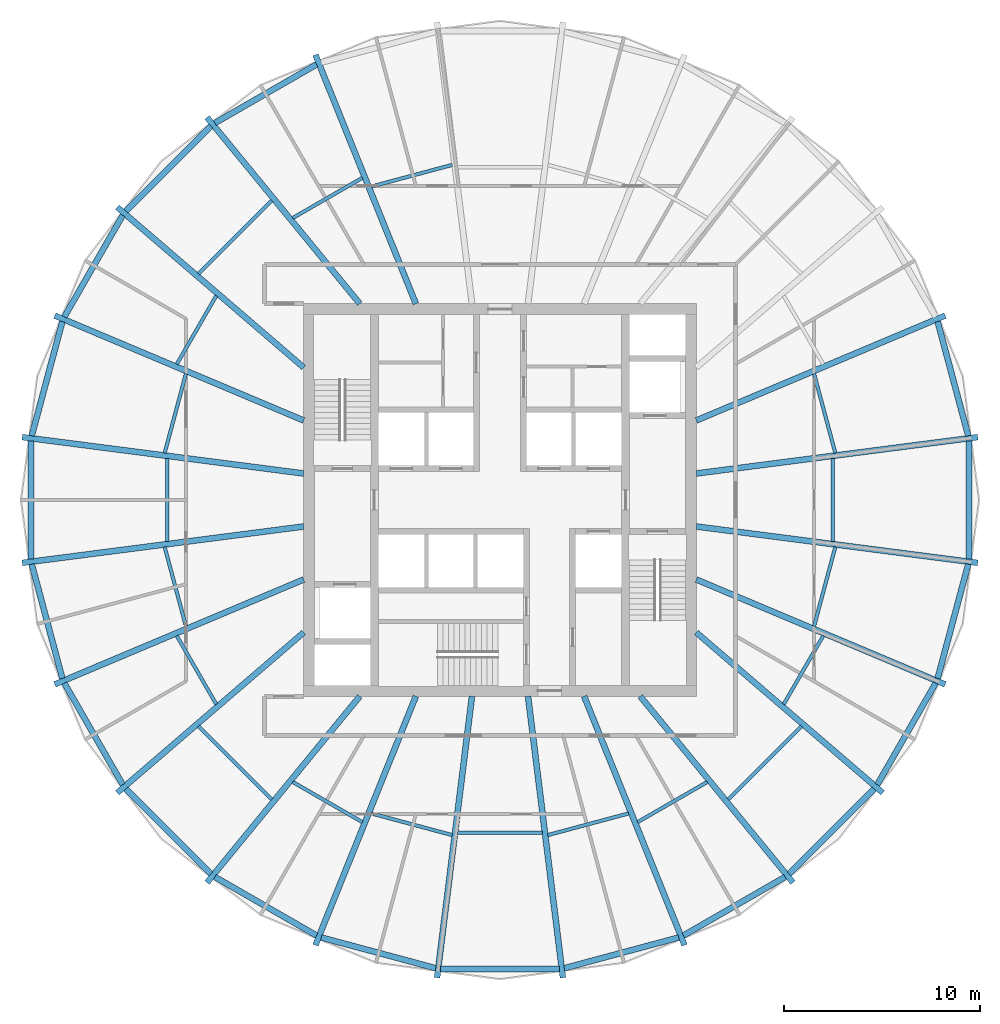
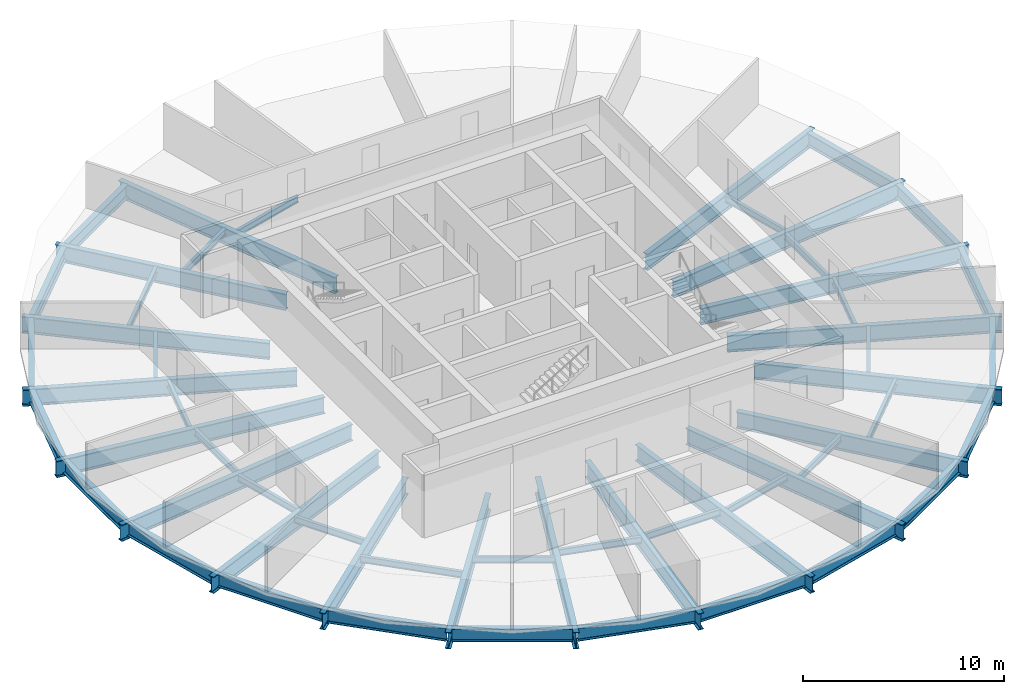
# One storey, part 1 of 6: 56 beams.
"""IFC4 building model written with IfcOpenShell, lengths in metres."""

import ifcopenshell
import ifcopenshell.guid

model = None  # the IFC model being written
_history = None  # IfcOwnerHistory: only IFC2X3 demands one
_inside = {}  # id of a spatial element -> (the spatial element, [elements in it])
_under = {}  # id of a project, library or spatial element -> (it, [spatial elements below it])
_declared = {}  # id of a project -> (the project, [libraries it declares])
_typed = {}  # id of a type object -> (the type object, [elements of that type])
_made_of = {}  # id of a material, layer set ... -> (it, [elements and type objects made of it])


def new_model(schema):
    """Start an empty IFC model of exactly this schema.

    Asked for "IFC4X3", IfcOpenShell would pick the latest addendum, in which some entities
    have other attributes; the version numbers below select the first issue.
    IFC2X3 requires an IfcOwnerHistory on every rooted entity: one is made here for all.
    """
    global model, _history
    if schema == "IFC4X3":
        model = ifcopenshell.file(schema_version=(4, 3, 0, 0))
    else:
        model = ifcopenshell.file(schema=schema)
    _inside.clear()
    _under.clear()
    _declared.clear()
    _typed.clear()
    _made_of.clear()
    _history = None
    if model.schema == "IFC2X3":
        org = make("IfcOrganization", Name="unknown")
        user = make(
            "IfcPersonAndOrganization",
            ThePerson=make("IfcPerson", FamilyName="unknown"),
            TheOrganization=org,
        )
        app = make(
            "IfcApplication",
            ApplicationDeveloper=org,
            Version="unknown",
            ApplicationFullName="unknown",
            ApplicationIdentifier="unknown",
        )
        _history = make(
            "IfcOwnerHistory",
            OwningUser=user,
            OwningApplication=app,
            ChangeAction="ADDED",
            CreationDate=0,
        )
    return model


def make(cls, **values):
    """One entity of the class cls with the attributes given. An attribute that is None is left unset."""
    return model.create_entity(
        cls, **{name: value for name, value in values.items() if value is not None}
    )


def rooted(cls, **values):
    """An entity with a GlobalId (a new one), such as an element, a storey or a relation."""
    return make(cls, GlobalId=ifcopenshell.guid.new(), OwnerHistory=_history, **values)


def si_unit(unit_type, name, prefix=None):
    """IfcSIUnit, for example si_unit("LENGTHUNIT", "METRE", prefix="MILLI")."""
    return make("IfcSIUnit", UnitType=unit_type, Prefix=prefix, Name=name)


def assignment(units):
    """IfcUnitAssignment: the units of a project."""
    return None if units is None else make("IfcUnitAssignment", Units=units)


def point(xyz):
    """IfcCartesianPoint."""
    return None if xyz is None else make("IfcCartesianPoint", Coordinates=xyz)


def direction(xyz):
    """IfcDirection."""
    return None if xyz is None else make("IfcDirection", DirectionRatios=xyz)


def frame(location, z_axis=None, x_axis=None):
    """IfcAxis2Placement3D, a coordinate frame: its origin and axes. An axis left out is left unset."""
    return make(
        "IfcAxis2Placement3D",
        Location=point(location),
        Axis=direction(z_axis),
        RefDirection=direction(x_axis),
    )


def frame_2d(location, x_axis=None):
    """IfcAxis2Placement2D, a coordinate frame in the plane: its origin and x axis."""
    return make(
        "IfcAxis2Placement2D", Location=point(location), RefDirection=direction(x_axis)
    )


def origin():
    """The frame at (0, 0, 0) with its axes left unset."""
    return frame((0.0, 0.0, 0.0))


def origin_2d():
    """The frame at (0, 0) in the plane with its x axis left unset."""
    return frame_2d((0.0, 0.0))


def place(relative_to, where):
    """IfcLocalPlacement: puts the frame where relative to a parent placement (None: the world)."""
    return make(
        "IfcLocalPlacement", PlacementRelTo=relative_to, RelativePlacement=where
    )


def context(
    kind, dimensions, precision=None, world=None, true_north=None, identifier=None
):
    """IfcGeometricRepresentationContext, for example the 3D "Model" context."""
    return make(
        "IfcGeometricRepresentationContext",
        ContextIdentifier=identifier,
        ContextType=kind,
        CoordinateSpaceDimension=dimensions,
        Precision=precision,
        WorldCoordinateSystem=world,
        TrueNorth=true_north,
    )


def subcontext(parent, identifier, kind, view, scale=None):
    """IfcGeometricRepresentationSubContext, for example "Body" below "Model"."""
    return make(
        "IfcGeometricRepresentationSubContext",
        ContextIdentifier=identifier,
        ContextType=kind,
        ParentContext=parent,
        TargetScale=scale,
        TargetView=view,
    )


def project(units=None, contexts=None):
    """IfcProject with its units and contexts."""
    return rooted(
        "IfcProject",
        Name="project",
        RepresentationContexts=contexts,
        UnitsInContext=assignment(units),
    )


def spatial(cls, under=None, at=None, **own):
    """A site, building, storey or space (cls), placed at a placement, below another one or the project."""
    s = rooted(cls, ObjectPlacement=at, **own)
    if under is not None:
        _under.setdefault(under.id(), (under, []))[1].append(s)
    return s


def profile(cls, at=None, kind="AREA", **sizes):
    """A parametric profile (cls). Its sizes go by their IFC names, for example OverallWidth=200.0."""
    return make(cls, ProfileType=kind, Position=at, **sizes)


def i_section(**sizes):
    """IfcIShapeProfileDef."""
    return profile("IfcIShapeProfileDef", **sizes)


def extrude(swept, where, along, depth):
    """IfcExtrudedAreaSolid: the profile swept, set in the frame where, extruded along a direction by depth."""
    return make(
        "IfcExtrudedAreaSolid",
        SweptArea=swept,
        Position=where,
        ExtrudedDirection=direction(along),
        Depth=depth,
    )


def shape(context_of_items, identifier, shape_type, items):
    """IfcShapeRepresentation: the items that make up one representation, for example the "Body"."""
    return make(
        "IfcShapeRepresentation",
        ContextOfItems=context_of_items,
        RepresentationIdentifier=identifier,
        RepresentationType=shape_type,
        Items=items,
    )


def material(Name=None, Category=None):
    """IfcMaterial."""
    return make("IfcMaterial", Name=Name, Category=Category)


def material_profile(
    of_material, cross_section, Name=None, Category=None, Priority=None
):
    """IfcMaterialProfile: a cross section and its material."""
    return make(
        "IfcMaterialProfile",
        Name=Name,
        Material=of_material,
        Profile=cross_section,
        Priority=Priority,
        Category=Category,
    )


def profile_set(profiles, Name=None, composite=None):
    """IfcMaterialProfileSet."""
    return make(
        "IfcMaterialProfileSet",
        Name=Name,
        MaterialProfiles=profiles,
        CompositeProfile=composite,
    )


def made_of(thing, what):
    """Note that an element or type object is made of a material, layer set ...; save() writes the relation."""
    if what is not None:
        _made_of.setdefault(what.id(), (what, []))[1].append(thing)
    return thing


def type_object(cls, material=None, **own):
    """A type object (cls), such as IfcWallType, which elements share."""
    return made_of(rooted(cls, **own), material)


def element(
    cls,
    number,
    at=None,
    inside=None,
    cuts=None,
    type_object=None,
    material=None,
    context=None,
    identifier="Body",
    shape_type=None,
    held_by="IfcProductDefinitionShape",
    body=None,
    shapes=None,
    **own,
):
    """One element of the class cls, such as IfcWall. Its Tag is "e" and its number.

    at: its placement. inside: the storey or other place that contains it. cuts: it is an
    opening in that element (IfcRelVoidsElement). A single representation is given by context,
    identifier, shape_type and body (its items); several are given by shapes. held_by: the class
    of the entity that holds the representations. save() writes the other relations.
    """
    e = rooted(cls, Tag="e%d" % number, ObjectPlacement=at, **own)
    if body is not None:
        shapes = [shape(context, identifier, shape_type, body)]
    if shapes is not None:
        e.Representation = make(held_by, Representations=shapes)
    if inside is not None:
        _inside.setdefault(inside.id(), (inside, []))[1].append(e)
    if cuts is not None:
        rooted(
            "IfcRelVoidsElement", RelatingBuildingElement=cuts, RelatedOpeningElement=e
        )
    if type_object is not None:
        _typed.setdefault(type_object.id(), (type_object, []))[1].append(e)
    return made_of(e, material)


def aggregate(whole, parts):
    """IfcRelAggregates: a whole, such as a stair, and the parts it consists of."""
    return rooted("IfcRelAggregates", RelatingObject=whole, RelatedObjects=parts)


def save(model, path):
    """Write the relations noted so far, then the file.

    IfcRelAggregates (storeys below a building ...), IfcRelContainedInSpatialStructure (elements
    in a storey), IfcRelDefinesByType, IfcRelAssociatesMaterial and IfcRelDeclares: one each for
    every whole, place, type object, material and project.
    """
    for whole, parts in _under.values():
        aggregate(whole, parts)
    for where, things in _inside.values():
        rooted(
            "IfcRelContainedInSpatialStructure",
            RelatedElements=things,
            RelatingStructure=where,
        )
    for kind, things in _typed.values():
        rooted("IfcRelDefinesByType", RelatedObjects=things, RelatingType=kind)
    for what, things in _made_of.values():
        rooted("IfcRelAssociatesMaterial", RelatedObjects=things, RelatingMaterial=what)
    for by, libraries in _declared.values():
        rooted("IfcRelDeclares", RelatingContext=by, RelatedDefinitions=libraries)
    model.write(path)


model = new_model("IFC4")

# Units and contexts
model_context = context("Model", 3, precision=1e-05, world=origin(), true_north=direction((0.0, 1.0)))
body_context = subcontext(model_context, "Body", "Model", "MODEL_VIEW")
ifc_project = project(units=[si_unit("LENGTHUNIT", "METRE"), si_unit("AREAUNIT", "SQUARE_METRE"), si_unit("VOLUMEUNIT", "CUBIC_METRE"), si_unit("PLANEANGLEUNIT", "RADIAN"), si_unit("MASSUNIT", "GRAM", prefix="KILO")], contexts=[model_context])

# Site, building, storey
site_placement = place(None, origin())
site = spatial("IfcSite", under=ifc_project, at=site_placement, CompositionType="ELEMENT")
building_placement = place(site_placement, origin())
building = spatial("IfcBuilding", under=site, at=building_placement, Name="Golbaran Civic Tower", CompositionType="ELEMENT")
storey_placement = place(building_placement, frame((0.0, 0.0, 126.0)))
storey = spatial("IfcBuildingStorey", under=building, at=storey_placement, Name="L30", CompositionType="ELEMENT", Elevation=126.0)

# Beams
ifc_material = material(Name="Steel S355", Category="steel")
ifc_material_profile_1 = material_profile(ifc_material, i_section(OverallWidth=0.300048828125, OverallDepth=0.800048828125, WebThickness=0.017578125, FlangeThickness=0.032958984375, FilletRadius=0.030029296875, at=origin_2d()), Name="HEB 800")
ifc_profile_set_1 = profile_set([ifc_material_profile_1], Name="Steel S355")
beam_type_1 = type_object("IfcBeamType", Name="EDGE BEAM HEB 800", PredefinedType="BEAM", material=ifc_profile_set_1)
beam_1_placement = place(storey_placement, frame((23.854248046875, 3.270751953125, -0.60009765625), z_axis=(-0.258757013968, 0.965942445347, 0.0), x_axis=(-0.965942445347, -0.258757013968, 0.0)))
element("IfcBeam", 1, at=beam_1_placement, inside=storey, type_object=beam_type_1, Name="Edge beam 7.49 L30", PredefinedType="BEAM", context=body_context, shape_type="SweptSolid", body=[
    extrude(i_section(OverallWidth=0.300048828125, OverallDepth=0.800048828125, WebThickness=0.017578125, FlangeThickness=0.032958984375, FilletRadius=0.030029296875, at=origin_2d()), origin(), (0.0, 0.0, 1.0), 6.025390625),
])
beam_2_placement = place(storey_placement, frame((-9.34619140625, 22.189453125, -0.60009765625), z_axis=(-0.866278063162, -0.49956212555, 0.0), x_axis=(0.49956212555, -0.866278063162, 0.0)))
element("IfcBeam", 2, at=beam_2_placement, inside=storey, type_object=beam_type_1, Name="Edge beam 112.51 L30", PredefinedType="BEAM", context=body_context, shape_type="SweptSolid", body=[
    extrude(i_section(OverallWidth=0.300048828125, OverallDepth=0.800048828125, WebThickness=0.017578125, FlangeThickness=0.032958984375, FilletRadius=0.030029296875, at=origin_2d()), origin(), (0.0, 0.0, 1.0), 5.976318359375),
])
beam_3_placement = place(storey_placement, frame((-14.72998046875, 19.045654296875, -0.60009765625), z_axis=(-0.706748116898, -0.707465263643, 0.0), x_axis=(0.707465263643, -0.706748116898, 0.0)))
element("IfcBeam", 3, at=beam_3_placement, inside=storey, type_object=beam_type_1, Name="Edge beam 127.49 L30", PredefinedType="BEAM", context=body_context, shape_type="SweptSolid", body=[
    extrude(i_section(OverallWidth=0.300048828125, OverallDepth=0.800048828125, WebThickness=0.017578125, FlangeThickness=0.032958984375, FilletRadius=0.030029296875, at=origin_2d()), origin(), (0.0, 0.0, 1.0), 6.127685546875),
])
beam_4_placement = place(storey_placement, frame((-19.218994140625, 14.50341796875, -0.60009765625), z_axis=(-0.498810814407, -0.866710892646, 0.0), x_axis=(0.866710892646, -0.498810814407, 0.0)))
element("IfcBeam", 4, at=beam_4_placement, inside=storey, type_object=beam_type_1, Name="Edge beam 142.51 L30", PredefinedType="BEAM", context=body_context, shape_type="SweptSolid", body=[
    extrude(i_section(OverallWidth=0.300048828125, OverallDepth=0.800048828125, WebThickness=0.017578125, FlangeThickness=0.032958984375, FilletRadius=0.030029296875, at=origin_2d()), origin(), (0.0, 0.0, 1.0), 5.9677734375),
])
beam_5_placement = place(storey_placement, frame((-22.295166015625, 9.0908203125, -0.60009765625), z_axis=(-0.258757013968, -0.965942445347, 0.0), x_axis=(0.965942445347, -0.258757013968, 0.0)))
element("IfcBeam", 5, at=beam_5_placement, inside=storey, type_object=beam_type_1, Name="Edge beam 157.49 L30", PredefinedType="BEAM", context=body_context, shape_type="SweptSolid", body=[
    extrude(i_section(OverallWidth=0.300048828125, OverallDepth=0.800048828125, WebThickness=0.017578125, FlangeThickness=0.032958984375, FilletRadius=0.030029296875, at=origin_2d()), origin(), (0.0, 0.0, 1.0), 6.025390625),
])
beam_6_placement = place(storey_placement, frame((-23.88818359375, 3.012939453125, -0.60009765625), z_axis=(0.0, -1.0, 0.0), x_axis=(1.0, 0.0, 0.0)))
element("IfcBeam", 6, at=beam_6_placement, inside=storey, type_object=beam_type_1, Name="Edge beam 172.51 L30", PredefinedType="BEAM", context=body_context, shape_type="SweptSolid", body=[
    extrude(i_section(OverallWidth=0.300048828125, OverallDepth=0.800048828125, WebThickness=0.017578125, FlangeThickness=0.032958984375, FilletRadius=0.030029296875, at=origin_2d()), origin(), (0.0, 0.0, 1.0), 6.02587890625),
])
beam_7_placement = place(storey_placement, frame((-23.854248046875, -3.270751953125, -0.60009765625), z_axis=(0.258757013968, -0.965942445347, 0.0), x_axis=(0.965942445347, 0.258757013968, 0.0)))
element("IfcBeam", 7, at=beam_7_placement, inside=storey, type_object=beam_type_1, Name="Edge beam 187.49 L30", PredefinedType="BEAM", context=body_context, shape_type="SweptSolid", body=[
    extrude(i_section(OverallWidth=0.300048828125, OverallDepth=0.800048828125, WebThickness=0.017578125, FlangeThickness=0.032958984375, FilletRadius=0.030029296875, at=origin_2d()), origin(), (0.0, 0.0, 1.0), 6.025390625),
])
beam_8_placement = place(storey_placement, frame((-22.19580078125, -9.3310546875, -0.60009765625), z_axis=(0.498810814407, -0.866710892646, 0.0), x_axis=(0.866710892646, 0.498810814407, 0.0)))
element("IfcBeam", 8, at=beam_8_placement, inside=storey, type_object=beam_type_1, Name="Edge beam 202.51 L30", PredefinedType="BEAM", context=body_context, shape_type="SweptSolid", body=[
    extrude(i_section(OverallWidth=0.300048828125, OverallDepth=0.800048828125, WebThickness=0.017578125, FlangeThickness=0.032958984375, FilletRadius=0.030029296875, at=origin_2d()), origin(), (0.0, 0.0, 1.0), 5.9677734375),
])
beam_9_placement = place(storey_placement, frame((-19.060791015625, -14.71044921875, -0.60009765625), z_axis=(0.706748116898, -0.707465263643, 0.0), x_axis=(0.707465263643, 0.706748116898, 0.0)))
element("IfcBeam", 9, at=beam_9_placement, inside=storey, type_object=beam_type_1, Name="Edge beam 217.49 L30", PredefinedType="BEAM", context=body_context, shape_type="SweptSolid", body=[
    extrude(i_section(OverallWidth=0.300048828125, OverallDepth=0.800048828125, WebThickness=0.017578125, FlangeThickness=0.032958984375, FilletRadius=0.030029296875, at=origin_2d()), origin(), (0.0, 0.0, 1.0), 6.127685546875),
])
beam_10_placement = place(storey_placement, frame((-14.5234375, -19.203857421875, -0.60009765625), z_axis=(0.866278063162, -0.49956212555, 0.0), x_axis=(0.49956212555, 0.866278063162, 0.0)))
element("IfcBeam", 10, at=beam_10_placement, inside=storey, type_object=beam_type_1, Name="Edge beam 232.51 L30", PredefinedType="BEAM", context=body_context, shape_type="SweptSolid", body=[
    extrude(i_section(OverallWidth=0.300048828125, OverallDepth=0.800048828125, WebThickness=0.017578125, FlangeThickness=0.032958984375, FilletRadius=0.030029296875, at=origin_2d()), origin(), (0.0, 0.0, 1.0), 5.976318359375),
])
beam_11_placement = place(storey_placement, frame((-9.10595703125, -22.2890625, -0.60009765625), z_axis=(0.96583839284, -0.259145130991, 0.0), x_axis=(0.259145130991, 0.96583839284, 0.0)))
element("IfcBeam", 11, at=beam_11_placement, inside=storey, type_object=beam_type_1, Name="Edge beam 247.49 L30", PredefinedType="BEAM", context=body_context, shape_type="SweptSolid", body=[
    extrude(i_section(OverallWidth=0.300048828125, OverallDepth=0.800048828125, WebThickness=0.017578125, FlangeThickness=0.032958984375, FilletRadius=0.030029296875, at=origin_2d()), origin(), (0.0, 0.0, 1.0), 6.0361328125),
])
beam_12_placement = place(storey_placement, frame((-3.0185546875, -23.887451171875, -0.60009765625), z_axis=(1.0, 0.0, 0.0), x_axis=(0.0, 1.0, 0.0)))
element("IfcBeam", 12, at=beam_12_placement, inside=storey, type_object=beam_type_1, Name="Edge beam 262.51 L30", PredefinedType="BEAM", context=body_context, shape_type="SweptSolid", body=[
    extrude(i_section(OverallWidth=0.300048828125, OverallDepth=0.800048828125, WebThickness=0.017578125, FlangeThickness=0.032958984375, FilletRadius=0.030029296875, at=origin_2d()), origin(), (0.0, 0.0, 1.0), 6.037109375),
])
beam_13_placement = place(storey_placement, frame((3.276123046875, -23.853271484375, -0.60009765625), z_axis=(0.96583839284, 0.259145130991, 0.0), x_axis=(-0.259145130991, 0.96583839284, 0.0)))
element("IfcBeam", 13, at=beam_13_placement, inside=storey, type_object=beam_type_1, Name="Edge beam 277.49 L30", PredefinedType="BEAM", context=body_context, shape_type="SweptSolid", body=[
    extrude(i_section(OverallWidth=0.300048828125, OverallDepth=0.800048828125, WebThickness=0.017578125, FlangeThickness=0.032958984375, FilletRadius=0.030029296875, at=origin_2d()), origin(), (0.0, 0.0, 1.0), 6.0361328125),
])
beam_14_placement = place(storey_placement, frame((9.34619140625, -22.189453125, -0.60009765625), z_axis=(0.866278063162, 0.49956212555, 0.0), x_axis=(-0.49956212555, 0.866278063162, 0.0)))
element("IfcBeam", 14, at=beam_14_placement, inside=storey, type_object=beam_type_1, Name="Edge beam 292.51 L30", PredefinedType="BEAM", context=body_context, shape_type="SweptSolid", body=[
    extrude(i_section(OverallWidth=0.300048828125, OverallDepth=0.800048828125, WebThickness=0.017578125, FlangeThickness=0.032958984375, FilletRadius=0.030029296875, at=origin_2d()), origin(), (0.0, 0.0, 1.0), 5.976318359375),
])
beam_15_placement = place(storey_placement, frame((14.72998046875, -19.045654296875, -0.60009765625), z_axis=(0.706748116898, 0.707465263643, 0.0), x_axis=(-0.707465263643, 0.706748116898, 0.0)))
element("IfcBeam", 15, at=beam_15_placement, inside=storey, type_object=beam_type_1, Name="Edge beam 307.49 L30", PredefinedType="BEAM", context=body_context, shape_type="SweptSolid", body=[
    extrude(i_section(OverallWidth=0.300048828125, OverallDepth=0.800048828125, WebThickness=0.017578125, FlangeThickness=0.032958984375, FilletRadius=0.030029296875, at=origin_2d()), origin(), (0.0, 0.0, 1.0), 6.127685546875),
])
beam_16_placement = place(storey_placement, frame((19.218994140625, -14.50341796875, -0.60009765625), z_axis=(0.498810814407, 0.866710892646, 0.0), x_axis=(-0.866710892646, 0.498810814407, 0.0)))
element("IfcBeam", 16, at=beam_16_placement, inside=storey, type_object=beam_type_1, Name="Edge beam 322.51 L30", PredefinedType="BEAM", context=body_context, shape_type="SweptSolid", body=[
    extrude(i_section(OverallWidth=0.300048828125, OverallDepth=0.800048828125, WebThickness=0.017578125, FlangeThickness=0.032958984375, FilletRadius=0.030029296875, at=origin_2d()), origin(), (0.0, 0.0, 1.0), 5.9677734375),
])
beam_17_placement = place(storey_placement, frame((22.295166015625, -9.0908203125, -0.60009765625), z_axis=(0.258757013968, 0.965942445347, 0.0), x_axis=(-0.965942445347, 0.258757013968, 0.0)))
element("IfcBeam", 17, at=beam_17_placement, inside=storey, type_object=beam_type_1, Name="Edge beam 337.49 L30", PredefinedType="BEAM", context=body_context, shape_type="SweptSolid", body=[
    extrude(i_section(OverallWidth=0.300048828125, OverallDepth=0.800048828125, WebThickness=0.017578125, FlangeThickness=0.032958984375, FilletRadius=0.030029296875, at=origin_2d()), origin(), (0.0, 0.0, 1.0), 6.025390625),
])
beam_18_placement = place(storey_placement, frame((23.88818359375, -3.012939453125, -0.60009765625), z_axis=(0.0, 1.0, 0.0), x_axis=(-1.0, 0.0, 0.0)))
element("IfcBeam", 18, at=beam_18_placement, inside=storey, type_object=beam_type_1, Name="Edge beam 352.51 L30", PredefinedType="BEAM", context=body_context, shape_type="SweptSolid", body=[
    extrude(i_section(OverallWidth=0.300048828125, OverallDepth=0.800048828125, WebThickness=0.017578125, FlangeThickness=0.032958984375, FilletRadius=0.030029296875, at=origin_2d()), origin(), (0.0, 0.0, 1.0), 6.02587890625),
])
ifc_material_profile_2 = material_profile(ifc_material, i_section(OverallWidth=0.179931640625, OverallDepth=0.39990234375, WebThickness=0.008544921875, FlangeThickness=0.013427734375, FilletRadius=0.02099609375, at=origin_2d()), Name="IPE 400")
ifc_profile_set_2 = profile_set([ifc_material_profile_2], Name="Steel S355")
beam_type_2 = type_object("IfcBeamType", Name="FLOOR INFILL BEAM IPE 400", PredefinedType="BEAM", material=ifc_profile_set_2)
beam_19_placement = place(storey_placement, frame((17.082275390625, 2.39599609375, -0.39990234375), z_axis=(-0.258784695888, 0.965935029479, 0.0), x_axis=(-0.965935029479, -0.258784695888, 0.0)))
element("IfcBeam", 19, at=beam_19_placement, inside=storey, type_object=beam_type_2, Name="Infill beam 15.00 L30", PredefinedType="BEAM", context=body_context, shape_type="SweptSolid", body=[
    extrude(i_section(OverallWidth=0.179931640625, OverallDepth=0.39990234375, WebThickness=0.008544921875, FlangeThickness=0.013427734375, FilletRadius=0.02099609375, at=origin_2d()), origin(), (0.0, 0.0, 1.0), 4.18408203125),
])
beam_20_placement = place(storey_placement, frame((-2.435791015625, 17.0712890625, -0.39990234375), z_axis=(-0.965930161621, -0.25880286488, 0.0), x_axis=(0.25880286488, -0.965930161621, 0.0)))
element("IfcBeam", 20, at=beam_20_placement, inside=storey, type_object=beam_type_2, Name="Infill beam 105.00 L30", PredefinedType="BEAM", context=body_context, shape_type="SweptSolid", body=[
    extrude(i_section(OverallWidth=0.179931640625, OverallDepth=0.39990234375, WebThickness=0.008544921875, FlangeThickness=0.013427734375, FilletRadius=0.02099609375, at=origin_2d()), origin(), (0.0, 0.0, 1.0), 4.263916015625),
])
beam_21_placement = place(storey_placement, frame((-7.013671875, 16.410888671875, -0.39990234375), z_axis=(-0.866030514021, -0.499991148707, 0.0), x_axis=(0.499991148707, -0.866030514021, 0.0)))
element("IfcBeam", 21, at=beam_21_placement, inside=storey, type_object=beam_type_2, Name="Infill beam 120.00 L30", PredefinedType="BEAM", context=body_context, shape_type="SweptSolid", body=[
    extrude(i_section(OverallWidth=0.179931640625, OverallDepth=0.39990234375, WebThickness=0.008544921875, FlangeThickness=0.013427734375, FilletRadius=0.02099609375, at=origin_2d()), origin(), (0.0, 0.0, 1.0), 4.08984375),
])
beam_22_placement = place(storey_placement, frame((-11.625732421875, 15.260986328125, -0.39990234375), z_axis=(-0.707106781187, -0.707106781187, 0.0), x_axis=(0.707106781187, -0.707106781187, 0.0)))
element("IfcBeam", 22, at=beam_22_placement, inside=storey, type_object=beam_type_2, Name="Infill beam 135.00 L30", PredefinedType="BEAM", context=body_context, shape_type="SweptSolid", body=[
    extrude(i_section(OverallWidth=0.179931640625, OverallDepth=0.39990234375, WebThickness=0.008544921875, FlangeThickness=0.013427734375, FilletRadius=0.02099609375, at=origin_2d()), origin(), (0.0, 0.0, 1.0), 5.279052734375),
])
beam_23_placement = place(storey_placement, frame((-14.45263671875, 10.40625, -0.39990234375), z_axis=(-0.499996937234, -0.866027172066, 0.0), x_axis=(0.866027172066, -0.499996937234, 0.0)))
element("IfcBeam", 23, at=beam_23_placement, inside=storey, type_object=beam_type_2, Name="Infill beam 150.00 L30", PredefinedType="BEAM", context=body_context, shape_type="SweptSolid", body=[
    extrude(i_section(OverallWidth=0.179931640625, OverallDepth=0.39990234375, WebThickness=0.008544921875, FlangeThickness=0.013427734375, FilletRadius=0.02099609375, at=origin_2d()), origin(), (0.0, 0.0, 1.0), 4.029296875),
])
beam_24_placement = place(storey_placement, frame((-15.99951171875, 6.4375, -0.39990234375), z_axis=(-0.258784695888, -0.965935029479, 0.0), x_axis=(0.965935029479, -0.258784695888, 0.0)))
element("IfcBeam", 24, at=beam_24_placement, inside=storey, type_object=beam_type_2, Name="Infill beam 165.00 L30", PredefinedType="BEAM", context=body_context, shape_type="SweptSolid", body=[
    extrude(i_section(OverallWidth=0.179931640625, OverallDepth=0.39990234375, WebThickness=0.008544921875, FlangeThickness=0.013427734375, FilletRadius=0.02099609375, at=origin_2d()), origin(), (0.0, 0.0, 1.0), 4.18408203125),
])
beam_25_placement = place(storey_placement, frame((-16.944091796875, 2.115966796875, -0.39990234375), z_axis=(0.0, -1.0, 0.0), x_axis=(1.0, 0.0, 0.0)))
element("IfcBeam", 25, at=beam_25_placement, inside=storey, type_object=beam_type_2, Name="Infill beam 180.00 L30", PredefinedType="BEAM", context=body_context, shape_type="SweptSolid", body=[
    extrude(i_section(OverallWidth=0.179931640625, OverallDepth=0.39990234375, WebThickness=0.008544921875, FlangeThickness=0.013427734375, FilletRadius=0.02099609375, at=origin_2d()), origin(), (0.0, 0.0, 1.0), 4.23193359375),
])
beam_26_placement = place(storey_placement, frame((-17.082275390625, -2.39599609375, -0.39990234375), z_axis=(0.258784695888, -0.965935029479, 0.0), x_axis=(0.965935029479, 0.258784695888, 0.0)))
element("IfcBeam", 26, at=beam_26_placement, inside=storey, type_object=beam_type_2, Name="Infill beam 195.00 L30", PredefinedType="BEAM", context=body_context, shape_type="SweptSolid", body=[
    extrude(i_section(OverallWidth=0.179931640625, OverallDepth=0.39990234375, WebThickness=0.008544921875, FlangeThickness=0.013427734375, FilletRadius=0.02099609375, at=origin_2d()), origin(), (0.0, 0.0, 1.0), 4.18408203125),
])
beam_27_placement = place(storey_placement, frame((-16.46728515625, -6.916748046875, -0.39990234375), z_axis=(0.499996937234, -0.866027172066, 0.0), x_axis=(0.866027172066, 0.499996937234, 0.0)))
element("IfcBeam", 27, at=beam_27_placement, inside=storey, type_object=beam_type_2, Name="Infill beam 210.00 L30", PredefinedType="BEAM", context=body_context, shape_type="SweptSolid", body=[
    extrude(i_section(OverallWidth=0.179931640625, OverallDepth=0.39990234375, WebThickness=0.008544921875, FlangeThickness=0.013427734375, FilletRadius=0.02099609375, at=origin_2d()), origin(), (0.0, 0.0, 1.0), 4.029296875),
])
beam_28_placement = place(storey_placement, frame((-15.358642578125, -11.528076171875, -0.39990234375), z_axis=(0.707106781187, -0.707106781187, 0.0), x_axis=(0.707106781187, 0.707106781187, 0.0)))
element("IfcBeam", 28, at=beam_28_placement, inside=storey, type_object=beam_type_2, Name="Infill beam 225.00 L30", PredefinedType="BEAM", context=body_context, shape_type="SweptSolid", body=[
    extrude(i_section(OverallWidth=0.179931640625, OverallDepth=0.39990234375, WebThickness=0.008544921875, FlangeThickness=0.013427734375, FilletRadius=0.02099609375, at=origin_2d()), origin(), (0.0, 0.0, 1.0), 5.279052734375),
])
beam_29_placement = place(storey_placement, frame((-10.5556640625, -14.365966796875, -0.39990234375), z_axis=(0.866030514021, -0.499991148707, 0.0), x_axis=(0.499991148707, 0.866030514021, 0.0)))
element("IfcBeam", 29, at=beam_29_placement, inside=storey, type_object=beam_type_2, Name="Infill beam 240.00 L30", PredefinedType="BEAM", context=body_context, shape_type="SweptSolid", body=[
    extrude(i_section(OverallWidth=0.179931640625, OverallDepth=0.39990234375, WebThickness=0.008544921875, FlangeThickness=0.013427734375, FilletRadius=0.02099609375, at=origin_2d()), origin(), (0.0, 0.0, 1.0), 4.08984375),
])
beam_30_placement = place(storey_placement, frame((-6.554443359375, -15.9677734375, -0.39990234375), z_axis=(0.965930161621, -0.25880286488, 0.0), x_axis=(0.25880286488, 0.965930161621, 0.0)))
element("IfcBeam", 30, at=beam_30_placement, inside=storey, type_object=beam_type_2, Name="Infill beam 255.00 L30", PredefinedType="BEAM", context=body_context, shape_type="SweptSolid", body=[
    extrude(i_section(OverallWidth=0.179931640625, OverallDepth=0.39990234375, WebThickness=0.008544921875, FlangeThickness=0.013427734375, FilletRadius=0.02099609375, at=origin_2d()), origin(), (0.0, 0.0, 1.0), 4.263916015625),
])
beam_31_placement = place(storey_placement, frame((-2.157958984375, -16.943603515625, -0.39990234375), z_axis=(1.0, 0.0, 0.0), x_axis=(0.0, 1.0, 0.0)))
element("IfcBeam", 31, at=beam_31_placement, inside=storey, type_object=beam_type_2, Name="Infill beam 270.00 L30", PredefinedType="BEAM", context=body_context, shape_type="SweptSolid", body=[
    extrude(i_section(OverallWidth=0.179931640625, OverallDepth=0.39990234375, WebThickness=0.008544921875, FlangeThickness=0.013427734375, FilletRadius=0.02099609375, at=origin_2d()), origin(), (0.0, 0.0, 1.0), 4.31591796875),
])
beam_32_placement = place(storey_placement, frame((2.435791015625, -17.0712890625, -0.39990234375), z_axis=(0.965930161621, 0.25880286488, 0.0), x_axis=(-0.25880286488, 0.965930161621, 0.0)))
element("IfcBeam", 32, at=beam_32_placement, inside=storey, type_object=beam_type_2, Name="Infill beam 285.00 L30", PredefinedType="BEAM", context=body_context, shape_type="SweptSolid", body=[
    extrude(i_section(OverallWidth=0.179931640625, OverallDepth=0.39990234375, WebThickness=0.008544921875, FlangeThickness=0.013427734375, FilletRadius=0.02099609375, at=origin_2d()), origin(), (0.0, 0.0, 1.0), 4.263916015625),
])
beam_33_placement = place(storey_placement, frame((7.013671875, -16.410888671875, -0.39990234375), z_axis=(0.866030514021, 0.499991148707, 0.0), x_axis=(-0.499991148707, 0.866030514021, 0.0)))
element("IfcBeam", 33, at=beam_33_placement, inside=storey, type_object=beam_type_2, Name="Infill beam 300.00 L30", PredefinedType="BEAM", context=body_context, shape_type="SweptSolid", body=[
    extrude(i_section(OverallWidth=0.179931640625, OverallDepth=0.39990234375, WebThickness=0.008544921875, FlangeThickness=0.013427734375, FilletRadius=0.02099609375, at=origin_2d()), origin(), (0.0, 0.0, 1.0), 4.08984375),
])
beam_34_placement = place(storey_placement, frame((11.625732421875, -15.260986328125, -0.39990234375), z_axis=(0.707106781187, 0.707106781187, 0.0), x_axis=(-0.707106781187, 0.707106781187, 0.0)))
element("IfcBeam", 34, at=beam_34_placement, inside=storey, type_object=beam_type_2, Name="Infill beam 315.00 L30", PredefinedType="BEAM", context=body_context, shape_type="SweptSolid", body=[
    extrude(i_section(OverallWidth=0.179931640625, OverallDepth=0.39990234375, WebThickness=0.008544921875, FlangeThickness=0.013427734375, FilletRadius=0.02099609375, at=origin_2d()), origin(), (0.0, 0.0, 1.0), 5.279052734375),
])
beam_35_placement = place(storey_placement, frame((14.45263671875, -10.40625, -0.39990234375), z_axis=(0.499996937234, 0.866027172066, 0.0), x_axis=(-0.866027172066, 0.499996937234, 0.0)))
element("IfcBeam", 35, at=beam_35_placement, inside=storey, type_object=beam_type_2, Name="Infill beam 330.00 L30", PredefinedType="BEAM", context=body_context, shape_type="SweptSolid", body=[
    extrude(i_section(OverallWidth=0.179931640625, OverallDepth=0.39990234375, WebThickness=0.008544921875, FlangeThickness=0.013427734375, FilletRadius=0.02099609375, at=origin_2d()), origin(), (0.0, 0.0, 1.0), 4.029296875),
])
beam_36_placement = place(storey_placement, frame((15.99951171875, -6.4375, -0.39990234375), z_axis=(0.258784695888, 0.965935029479, 0.0), x_axis=(-0.965935029479, 0.258784695888, 0.0)))
element("IfcBeam", 36, at=beam_36_placement, inside=storey, type_object=beam_type_2, Name="Infill beam 345.00 L30", PredefinedType="BEAM", context=body_context, shape_type="SweptSolid", body=[
    extrude(i_section(OverallWidth=0.179931640625, OverallDepth=0.39990234375, WebThickness=0.008544921875, FlangeThickness=0.013427734375, FilletRadius=0.02099609375, at=origin_2d()), origin(), (0.0, 0.0, 1.0), 4.18408203125),
])
beam_37_placement = place(storey_placement, frame((16.944091796875, -2.115966796875, -0.39990234375), z_axis=(0.0, 1.0, 0.0), x_axis=(-1.0, 0.0, 0.0)))
element("IfcBeam", 37, at=beam_37_placement, inside=storey, type_object=beam_type_2, Name="Infill beam 0.00 L30", PredefinedType="BEAM", context=body_context, shape_type="SweptSolid", body=[
    extrude(i_section(OverallWidth=0.179931640625, OverallDepth=0.39990234375, WebThickness=0.008544921875, FlangeThickness=0.013427734375, FilletRadius=0.02099609375, at=origin_2d()), origin(), (0.0, 0.0, 1.0), 4.23193359375),
])
ifc_material_profile_3 = material_profile(ifc_material, i_section(OverallWidth=0.300048828125, OverallDepth=1.0, WebThickness=0.01904296875, FlangeThickness=0.035888671875, FilletRadius=0.030029296875, at=origin_2d()), Name="HEB 1000")
ifc_profile_set_3 = profile_set([ifc_material_profile_3], Name="Steel S355")
beam_type_3 = type_object("IfcBeamType", Name="RADIAL FLOOR BEAM HEB 1000", PredefinedType="BEAM", material=ifc_profile_set_3)
beam_38_placement = place(storey_placement, frame((10.0, 1.35009765625, -0.7099609375), z_axis=(0.991760090317, 0.128109028777, 0.0), x_axis=(-0.128109028777, 0.991760090317, 0.0)))
element("IfcBeam", 38, at=beam_38_placement, inside=storey, type_object=beam_type_3, Name="Radial beam 7.49 L30", PredefinedType="BEAM", context=body_context, shape_type="SweptSolid", body=[
    extrude(i_section(OverallWidth=0.300048828125, OverallDepth=1.0, WebThickness=0.01904296875, FlangeThickness=0.035888671875, FilletRadius=0.030029296875, at=origin_2d()), origin(), (0.0, 0.0, 1.0), 14.458740234375),
])
beam_39_placement = place(storey_placement, frame((10.0, 4.050048828125, -0.7099609375), z_axis=(0.921501404674, 0.388375026467, 0.0), x_axis=(-0.388375026467, 0.921501404674, 0.0)))
element("IfcBeam", 39, at=beam_39_placement, inside=storey, type_object=beam_type_3, Name="Radial beam 22.51 L30", PredefinedType="BEAM", context=body_context, shape_type="SweptSolid", body=[
    extrude(i_section(OverallWidth=0.300048828125, OverallDepth=1.0, WebThickness=0.01904296875, FlangeThickness=0.035888671875, FilletRadius=0.030029296875, at=origin_2d()), origin(), (0.0, 0.0, 1.0), 13.76123046875),
])
beam_40_placement = place(storey_placement, frame((-4.28564453125, 10.0, -0.7099609375), z_axis=(-0.374301533574, 0.927307048374, 0.0), x_axis=(-0.927307048374, -0.374301533574, 0.0)))
element("IfcBeam", 40, at=beam_40_placement, inside=storey, type_object=beam_type_3, Name="Radial beam 112.51 L30", PredefinedType="BEAM", context=body_context, shape_type="SweptSolid", body=[
    extrude(i_section(OverallWidth=0.300048828125, OverallDepth=1.0, WebThickness=0.01904296875, FlangeThickness=0.035888671875, FilletRadius=0.030029296875, at=origin_2d()), origin(), (0.0, 0.0, 1.0), 13.67138671875),
])
beam_41_placement = place(storey_placement, frame((-7.142822265625, 10.0, -0.7099609375), z_axis=(-0.634164502588, 0.773198152906, 0.0), x_axis=(-0.773198152906, -0.634164502588, 0.0)))
element("IfcBeam", 41, at=beam_41_placement, inside=storey, type_object=beam_type_3, Name="Radial beam 127.49 L30", PredefinedType="BEAM", context=body_context, shape_type="SweptSolid", body=[
    extrude(i_section(OverallWidth=0.300048828125, OverallDepth=1.0, WebThickness=0.01904296875, FlangeThickness=0.035888671875, FilletRadius=0.030029296875, at=origin_2d()), origin(), (0.0, 0.0, 1.0), 12.2744140625),
])
beam_42_placement = place(storey_placement, frame((-10.0, 6.75, -0.7099609375), z_axis=(-0.758318917341, 0.651883747, 0.0), x_axis=(-0.651883747, -0.758318917341, 0.0)))
element("IfcBeam", 42, at=beam_42_placement, inside=storey, type_object=beam_type_3, Name="Radial beam 142.51 L30", PredefinedType="BEAM", context=body_context, shape_type="SweptSolid", body=[
    extrude(i_section(OverallWidth=0.300048828125, OverallDepth=1.0, WebThickness=0.01904296875, FlangeThickness=0.035888671875, FilletRadius=0.030029296875, at=origin_2d()), origin(), (0.0, 0.0, 1.0), 12.5263671875),
])
beam_43_placement = place(storey_placement, frame((-10.0, 4.050048828125, -0.7099609375), z_axis=(-0.921501404674, 0.388375026467, 0.0), x_axis=(-0.388375026467, -0.921501404674, 0.0)))
element("IfcBeam", 43, at=beam_43_placement, inside=storey, type_object=beam_type_3, Name="Radial beam 157.49 L30", PredefinedType="BEAM", context=body_context, shape_type="SweptSolid", body=[
    extrude(i_section(OverallWidth=0.300048828125, OverallDepth=1.0, WebThickness=0.01904296875, FlangeThickness=0.035888671875, FilletRadius=0.030029296875, at=origin_2d()), origin(), (0.0, 0.0, 1.0), 13.76123046875),
])
for number, where, z_axis, x_axis, name in (
    (44, (-10.0, 1.35009765625, -0.7099609375), (-0.991760090317, 0.128109028777, 0.0), (-0.128109028777, -0.991760090317, 0.0), "Radial beam 172.51 L30"),
    (45, (-10.0, -1.35009765625, -0.7099609375), (-0.991760090317, -0.128109028777, 0.0), (0.128109028777, -0.991760090317, 0.0), "Radial beam 187.49 L30"),
):
    element("IfcBeam", number, at=place(storey_placement, frame(where, z_axis=z_axis, x_axis=x_axis)), inside=storey, type_object=beam_type_3, Name=name, PredefinedType="BEAM", context=body_context, shape_type="SweptSolid", body=[
        extrude(i_section(OverallWidth=0.300048828125, OverallDepth=1.0, WebThickness=0.01904296875, FlangeThickness=0.035888671875, FilletRadius=0.030029296875, at=origin_2d()), origin(), (0.0, 0.0, 1.0), 14.458740234375),
    ])
beam_44_placement = place(storey_placement, frame((-10.0, -4.050048828125, -0.7099609375), z_axis=(-0.921501404674, -0.388375026467, 0.0), x_axis=(0.388375026467, -0.921501404674, 0.0)))
element("IfcBeam", 46, at=beam_44_placement, inside=storey, type_object=beam_type_3, Name="Radial beam 202.51 L30", PredefinedType="BEAM", context=body_context, shape_type="SweptSolid", body=[
    extrude(i_section(OverallWidth=0.300048828125, OverallDepth=1.0, WebThickness=0.01904296875, FlangeThickness=0.035888671875, FilletRadius=0.030029296875, at=origin_2d()), origin(), (0.0, 0.0, 1.0), 13.76123046875),
])
beam_45_placement = place(storey_placement, frame((-10.0, -6.75, -0.7099609375), z_axis=(-0.758318917341, -0.651883747, 0.0), x_axis=(0.651883747, -0.758318917341, 0.0)))
element("IfcBeam", 47, at=beam_45_placement, inside=storey, type_object=beam_type_3, Name="Radial beam 217.49 L30", PredefinedType="BEAM", context=body_context, shape_type="SweptSolid", body=[
    extrude(i_section(OverallWidth=0.300048828125, OverallDepth=1.0, WebThickness=0.01904296875, FlangeThickness=0.035888671875, FilletRadius=0.030029296875, at=origin_2d()), origin(), (0.0, 0.0, 1.0), 12.5263671875),
])
beam_46_placement = place(storey_placement, frame((-7.142822265625, -10.0, -0.7099609375), z_axis=(-0.634164502588, -0.773198152906, 0.0), x_axis=(0.773198152906, -0.634164502588, 0.0)))
element("IfcBeam", 48, at=beam_46_placement, inside=storey, type_object=beam_type_3, Name="Radial beam 232.51 L30", PredefinedType="BEAM", context=body_context, shape_type="SweptSolid", body=[
    extrude(i_section(OverallWidth=0.300048828125, OverallDepth=1.0, WebThickness=0.01904296875, FlangeThickness=0.035888671875, FilletRadius=0.030029296875, at=origin_2d()), origin(), (0.0, 0.0, 1.0), 12.2744140625),
])
beam_47_placement = place(storey_placement, frame((-4.28564453125, -10.0, -0.7099609375), z_axis=(-0.374301533574, -0.927307048374, 0.0), x_axis=(0.927307048374, -0.374301533574, 0.0)))
element("IfcBeam", 49, at=beam_47_placement, inside=storey, type_object=beam_type_3, Name="Radial beam 247.49 L30", PredefinedType="BEAM", context=body_context, shape_type="SweptSolid", body=[
    extrude(i_section(OverallWidth=0.300048828125, OverallDepth=1.0, WebThickness=0.01904296875, FlangeThickness=0.035888671875, FilletRadius=0.030029296875, at=origin_2d()), origin(), (0.0, 0.0, 1.0), 13.67138671875),
])
for number, where, z_axis, x_axis, name in (
    (50, (-1.428466796875, -10.0, -0.7099609375), (-0.122974071832, -0.992409883897, 0.0), (0.992409883897, -0.122974071832, 0.0), "Radial beam 262.51 L30"),
    (51, (1.428466796875, -10.0, -0.7099609375), (0.122974071832, -0.992409883897, 0.0), (0.992409883897, 0.122974071832, 0.0), "Radial beam 277.49 L30"),
):
    element("IfcBeam", number, at=place(storey_placement, frame(where, z_axis=z_axis, x_axis=x_axis)), inside=storey, type_object=beam_type_3, Name=name, PredefinedType="BEAM", context=body_context, shape_type="SweptSolid", body=[
        extrude(i_section(OverallWidth=0.300048828125, OverallDepth=1.0, WebThickness=0.01904296875, FlangeThickness=0.035888671875, FilletRadius=0.030029296875, at=origin_2d()), origin(), (0.0, 0.0, 1.0), 14.448974609375),
    ])
beam_48_placement = place(storey_placement, frame((4.28564453125, -10.0, -0.7099609375), z_axis=(0.374301533574, -0.927307048374, 0.0), x_axis=(0.927307048374, 0.374301533574, 0.0)))
element("IfcBeam", 52, at=beam_48_placement, inside=storey, type_object=beam_type_3, Name="Radial beam 292.51 L30", PredefinedType="BEAM", context=body_context, shape_type="SweptSolid", body=[
    extrude(i_section(OverallWidth=0.300048828125, OverallDepth=1.0, WebThickness=0.01904296875, FlangeThickness=0.035888671875, FilletRadius=0.030029296875, at=origin_2d()), origin(), (0.0, 0.0, 1.0), 13.67138671875),
])
beam_49_placement = place(storey_placement, frame((7.142822265625, -10.0, -0.7099609375), z_axis=(0.634164502588, -0.773198152906, 0.0), x_axis=(0.773198152906, 0.634164502588, 0.0)))
element("IfcBeam", 53, at=beam_49_placement, inside=storey, type_object=beam_type_3, Name="Radial beam 307.49 L30", PredefinedType="BEAM", context=body_context, shape_type="SweptSolid", body=[
    extrude(i_section(OverallWidth=0.300048828125, OverallDepth=1.0, WebThickness=0.01904296875, FlangeThickness=0.035888671875, FilletRadius=0.030029296875, at=origin_2d()), origin(), (0.0, 0.0, 1.0), 12.2744140625),
])
beam_50_placement = place(storey_placement, frame((10.0, -6.75, -0.7099609375), z_axis=(0.758318917341, -0.651883747, 0.0), x_axis=(0.651883747, 0.758318917341, 0.0)))
element("IfcBeam", 54, at=beam_50_placement, inside=storey, type_object=beam_type_3, Name="Radial beam 322.51 L30", PredefinedType="BEAM", context=body_context, shape_type="SweptSolid", body=[
    extrude(i_section(OverallWidth=0.300048828125, OverallDepth=1.0, WebThickness=0.01904296875, FlangeThickness=0.035888671875, FilletRadius=0.030029296875, at=origin_2d()), origin(), (0.0, 0.0, 1.0), 12.5263671875),
])
beam_51_placement = place(storey_placement, frame((10.0, -4.050048828125, -0.7099609375), z_axis=(0.921501404674, -0.388375026467, 0.0), x_axis=(0.388375026467, 0.921501404674, 0.0)))
element("IfcBeam", 55, at=beam_51_placement, inside=storey, type_object=beam_type_3, Name="Radial beam 337.49 L30", PredefinedType="BEAM", context=body_context, shape_type="SweptSolid", body=[
    extrude(i_section(OverallWidth=0.300048828125, OverallDepth=1.0, WebThickness=0.01904296875, FlangeThickness=0.035888671875, FilletRadius=0.030029296875, at=origin_2d()), origin(), (0.0, 0.0, 1.0), 13.76123046875),
])
beam_52_placement = place(storey_placement, frame((10.0, -1.35009765625, -0.7099609375), z_axis=(0.991760090317, -0.128109028777, 0.0), x_axis=(0.128109028777, 0.991760090317, 0.0)))
element("IfcBeam", 56, at=beam_52_placement, inside=storey, type_object=beam_type_3, Name="Radial beam 352.51 L30", PredefinedType="BEAM", context=body_context, shape_type="SweptSolid", body=[
    extrude(i_section(OverallWidth=0.300048828125, OverallDepth=1.0, WebThickness=0.01904296875, FlangeThickness=0.035888671875, FilletRadius=0.030029296875, at=origin_2d()), origin(), (0.0, 0.0, 1.0), 14.458740234375),
])

save(model, "model.ifc")
